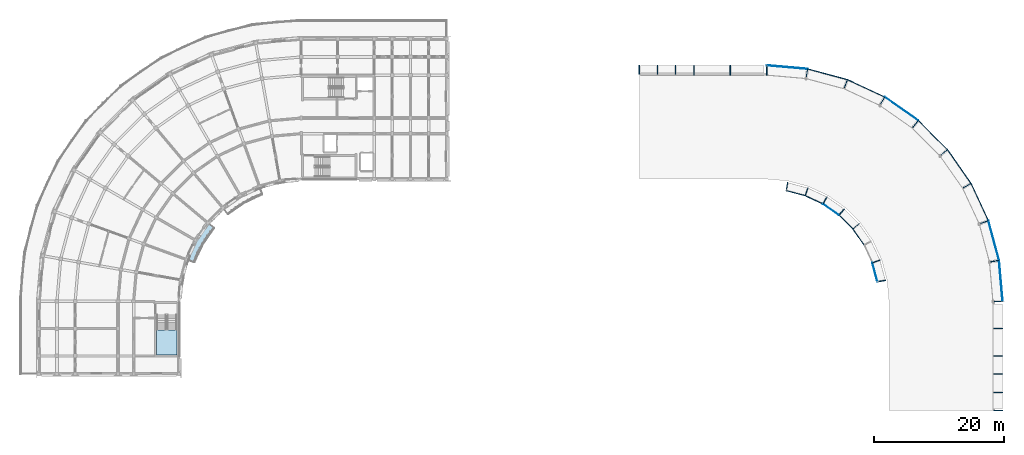
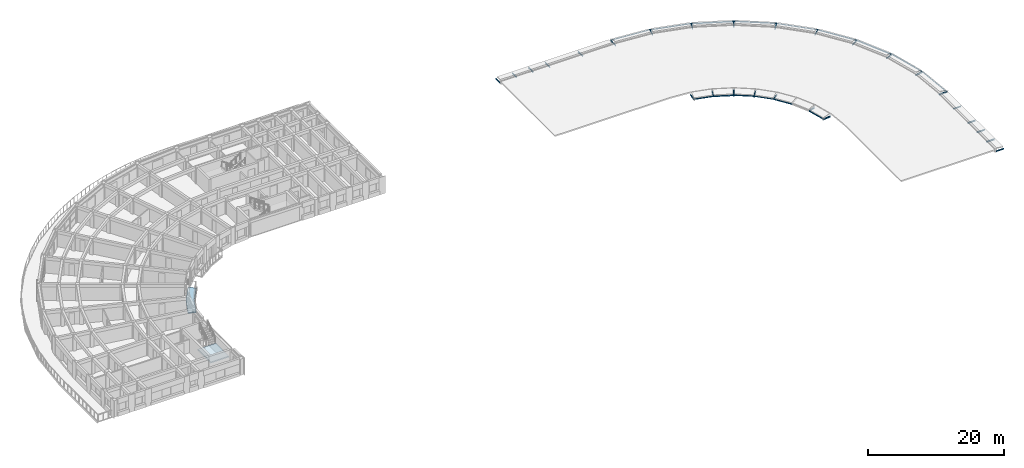
# One storey, part 5 of 23: 27 beams, 15 members, 2 slabs, 1 element without a shape of its own.
"""IFC4 building model written with IfcOpenShell, lengths in metres."""

from ifc_helpers import new_model, si_unit, direction, frame, origin, origin_2d, place, context, subcontext, project, spatial, polyline, hollow_rectangle, i_section, outline, extrude, material, layer, layer_set, material_profile, profile_set, type_object, element, aggregate, save


model = new_model("IFC4")

# Units and contexts
model_context = context("Model", 3, precision=1e-05, world=origin(), true_north=direction((0.0, 1.0)))
body_context = subcontext(model_context, "Body", "Model", "MODEL_VIEW")
ifc_project = project(units=[si_unit("LENGTHUNIT", "METRE"), si_unit("AREAUNIT", "SQUARE_METRE"), si_unit("VOLUMEUNIT", "CUBIC_METRE"), si_unit("PLANEANGLEUNIT", "RADIAN"), si_unit("MASSUNIT", "GRAM", prefix="KILO")], contexts=[model_context])

# Site, building, storey
site_placement = place(None, origin())
site = spatial("IfcSite", under=ifc_project, at=site_placement, CompositionType="ELEMENT")
building_placement = place(site_placement, origin())
building = spatial("IfcBuilding", under=site, at=building_placement, Name="Kiranvali Square Residences", CompositionType="ELEMENT")
storey_placement = place(building_placement, frame((0.0, 0.0, 43.35009765625)))
storey = spatial("IfcBuildingStorey", under=building, at=storey_placement, Name="L13", CompositionType="ELEMENT", Elevation=43.35009765625)

# Members
ifc_material_1 = material(Name="Structural steel E350", Category="steel")
ifc_material_profile_1 = material_profile(ifc_material_1, hollow_rectangle(XDim=0.06103515625, YDim=0.1220703125, WallThickness=0.00439453125, at=origin_2d()), Name="RHS 122x61x4.5")
ifc_profile_set_1 = profile_set([ifc_material_profile_1], Name="Structural steel E350")
member_type_1 = type_object("IfcMemberType", Name="MEM-RHS122", PredefinedType="PURLIN", material=ifc_profile_set_1)
member_1_placement = place(storey_placement, frame((137.949951171875, 119.23681640625, -0.301025390625), z_axis=(0.819153970275, -0.573573685748, 0.0), x_axis=(0.573573685748, 0.819153970275, 0.0)))
element("IfcMember", 1, at=member_1_placement, inside=storey, type_object=member_type_1, Name="Block B Ottoman eave fascia purlin 4", PredefinedType="PURLIN", context=body_context, shape_type="SweptSolid", body=[
    extrude(hollow_rectangle(XDim=0.06103515625, YDim=0.1220703125, WallThickness=0.00439453125, at=origin_2d()), origin(), (0.0, 0.0, 1.0), 6.32763671875),
])
member_2_placement = place(storey_placement, frame((128.449951171875, 102.7822265625, -0.301025390625), z_axis=(0.819140627792, -0.573592740453, 0.0), x_axis=(0.573592740453, 0.819140627792, 0.0)))
element("IfcMember", 2, at=member_2_placement, inside=storey, type_object=member_type_1, Name="Block B inner garden eave fascia purlin 4", PredefinedType="PURLIN", context=body_context, shape_type="SweptSolid", body=[
    extrude(hollow_rectangle(XDim=0.06103515625, YDim=0.1220703125, WallThickness=0.00439453125, at=origin_2d()), origin(), (0.0, 0.0, 1.0), 3.015625),
])
member_3_placement = place(storey_placement, frame((153.910888671875, 100.21533203125, -0.301025390625), z_axis=(0.25882480207, -0.965924283696, 0.0), x_axis=(0.965924283696, 0.25882480207, 0.0)))
element("IfcMember", 3, at=member_3_placement, inside=storey, type_object=member_type_1, Name="Block B Ottoman eave fascia purlin 8", PredefinedType="PURLIN", context=body_context, shape_type="SweptSolid", body=[
    extrude(hollow_rectangle(XDim=0.06103515625, YDim=0.1220703125, WallThickness=0.00439453125, at=origin_2d()), origin(), (0.0, 0.0, 1.0), 6.327392578125),
])
member_4_placement = place(storey_placement, frame((136.056640625, 93.717041015625, -0.301025390625), z_axis=(0.258866661045, -0.965913066378, 0.0), x_axis=(0.965913066378, 0.258866661045, 0.0)))
element("IfcMember", 4, at=member_4_placement, inside=storey, type_object=member_type_1, Name="Block B inner garden eave fascia purlin 8", PredefinedType="PURLIN", context=body_context, shape_type="SweptSolid", body=[
    extrude(hollow_rectangle(XDim=0.06103515625, YDim=0.1220703125, WallThickness=0.00439453125, at=origin_2d()), origin(), (0.0, 0.0, 1.0), 2.99072265625),
])
ifc_material_profile_2 = material_profile(ifc_material_1, hollow_rectangle(XDim=0.08203125, YDim=0.14501953125, WallThickness=0.00537109375, at=origin_2d()), Name="RHS 145x82x5.4")
ifc_profile_set_2 = profile_set([ifc_material_profile_2], Name="Structural steel E350")
member_type_2 = type_object("IfcMemberType", Name="MEM-RHS145", PredefinedType="PURLIN", material=ifc_profile_set_2)
member_5_placement = place(storey_placement, frame((119.824951171875, 124.097900390625, -0.3125), z_axis=(0.996194516337, -0.087157820187, 0.0), x_axis=(0.087157820187, 0.996194516337, 0.0)))
element("IfcMember", 5, at=member_5_placement, inside=storey, type_object=member_type_2, Name="Block B Ottoman eave fascia purlin 1", PredefinedType="PURLIN", context=body_context, shape_type="SweptSolid", body=[
    extrude(hollow_rectangle(XDim=0.08203125, YDim=0.14501953125, WallThickness=0.00537109375, at=origin_2d()), origin(), (0.0, 0.0, 1.0), 6.302490234375),
])
member_6_placement = place(storey_placement, frame((143.13330078125, 115.607421875, -0.3125), z_axis=(0.707106781187, -0.707106781187, 0.0), x_axis=(0.707106781187, 0.707106781187, 0.0)))
element("IfcMember", 6, at=member_6_placement, inside=storey, type_object=member_type_2, Name="Block B Ottoman eave fascia purlin 5", PredefinedType="PURLIN", context=body_context, shape_type="SweptSolid", body=[
    extrude(hollow_rectangle(XDim=0.08203125, YDim=0.14501953125, WallThickness=0.00537109375, at=origin_2d()), origin(), (0.0, 0.0, 1.0), 6.327392578125),
])
member_7_placement = place(storey_placement, frame((130.920166015625, 101.052490234375, -0.3125), z_axis=(0.707106781187, -0.707106781187, 0.0), x_axis=(0.707106781187, 0.707106781187, 0.0)))
element("IfcMember", 7, at=member_7_placement, inside=storey, type_object=member_type_2, Name="Block B inner garden eave fascia purlin 5", PredefinedType="PURLIN", context=body_context, shape_type="SweptSolid", body=[
    extrude(hollow_rectangle(XDim=0.08203125, YDim=0.14501953125, WallThickness=0.00537109375, at=origin_2d()), origin(), (0.0, 0.0, 1.0), 3.015625),
])
member_8_placement = place(storey_placement, frame((155.548583984375, 94.103515625, -0.3125), z_axis=(0.087157820187, -0.996194516337, 0.0), x_axis=(0.996194516337, 0.087157820187, 0.0)))
element("IfcMember", 8, at=member_8_placement, inside=storey, type_object=member_type_2, Name="Block B Ottoman eave fascia purlin 9", PredefinedType="PURLIN", context=body_context, shape_type="SweptSolid", body=[
    extrude(hollow_rectangle(XDim=0.08203125, YDim=0.14501953125, WallThickness=0.00537109375, at=origin_2d()), origin(), (0.0, 0.0, 1.0), 6.302490234375),
])
ifc_material_profile_3 = material_profile(ifc_material_1, hollow_rectangle(XDim=0.092041015625, YDim=0.172119140625, WallThickness=0.00537109375, at=origin_2d()), Name="RHS 172x92x5.4")
ifc_profile_set_3 = profile_set([ifc_material_profile_3], Name="Structural steel E350")
member_type_3 = type_object("IfcMemberType", Name="MEM-RHS172", PredefinedType="PURLIN", material=ifc_profile_set_3)
member_9_placement = place(storey_placement, frame((126.103515625, 123.548583984375, -0.326171875), z_axis=(0.965924283696, -0.25882480207, 0.0), x_axis=(0.25882480207, 0.965924283696, 0.0)))
element("IfcMember", 9, at=member_9_placement, inside=storey, type_object=member_type_3, Name="Block B Ottoman eave fascia purlin 2", PredefinedType="PURLIN", context=body_context, shape_type="SweptSolid", body=[
    extrude(hollow_rectangle(XDim=0.092041015625, YDim=0.172119140625, WallThickness=0.00537109375, at=origin_2d()), origin(), (0.0, 0.0, 1.0), 6.327392578125),
])
member_10_placement = place(storey_placement, frame((122.828369140625, 104.830810546875, -0.326171875), z_axis=(0.965913066378, -0.258866661045, 0.0), x_axis=(0.258866661045, 0.965913066378, 0.0)))
element("IfcMember", 10, at=member_10_placement, inside=storey, type_object=member_type_3, Name="Block B inner garden eave fascia purlin 2", PredefinedType="PURLIN", context=body_context, shape_type="SweptSolid", body=[
    extrude(hollow_rectangle(XDim=0.092041015625, YDim=0.172119140625, WallThickness=0.00537109375, at=origin_2d()), origin(), (0.0, 0.0, 1.0), 2.99072265625),
])
member_11_placement = place(storey_placement, frame((147.607421875, 111.13330078125, -0.326171875), z_axis=(0.573573685748, -0.819153970275, 0.0), x_axis=(0.819153970275, 0.573573685748, 0.0)))
element("IfcMember", 11, at=member_11_placement, inside=storey, type_object=member_type_3, Name="Block B Ottoman eave fascia purlin 6", PredefinedType="PURLIN", context=body_context, shape_type="SweptSolid", body=[
    extrude(hollow_rectangle(XDim=0.092041015625, YDim=0.172119140625, WallThickness=0.00537109375, at=origin_2d()), origin(), (0.0, 0.0, 1.0), 6.32763671875),
])
member_12_placement = place(storey_placement, frame((133.052490234375, 98.920166015625, -0.326171875), z_axis=(0.573592740453, -0.819140627792, 0.0), x_axis=(0.819140627792, 0.573592740453, 0.0)))
element("IfcMember", 12, at=member_12_placement, inside=storey, type_object=member_type_3, Name="Block B inner garden eave fascia purlin 6", PredefinedType="PURLIN", context=body_context, shape_type="SweptSolid", body=[
    extrude(hollow_rectangle(XDim=0.092041015625, YDim=0.172119140625, WallThickness=0.00537109375, at=origin_2d()), origin(), (0.0, 0.0, 1.0), 3.015625),
])
ifc_material_profile_4 = material_profile(ifc_material_1, hollow_rectangle(XDim=0.10009765625, YDim=0.199951171875, WallThickness=0.006103515625, at=origin_2d()), Name="RHS 200x100x6.0")
ifc_profile_set_4 = profile_set([ifc_material_profile_4], Name="Structural steel E350")
member_type_4 = type_object("IfcMemberType", Name="MEM-RHS200", PredefinedType="PURLIN", material=ifc_profile_set_4)
member_13_placement = place(storey_placement, frame((132.21533203125, 121.910888671875, -0.340087890625), z_axis=(0.906309273507, -0.42261507398, 0.0), x_axis=(0.42261507398, 0.906309273507, 0.0)))
element("IfcMember", 13, at=member_13_placement, inside=storey, type_object=member_type_4, Name="Block B Ottoman eave fascia purlin 3", PredefinedType="PURLIN", context=body_context, shape_type="SweptSolid", body=[
    extrude(hollow_rectangle(XDim=0.10009765625, YDim=0.199951171875, WallThickness=0.006103515625, at=origin_2d()), origin(), (0.0, 0.0, 1.0), 6.327392578125),
])
member_14_placement = place(storey_placement, frame((125.717041015625, 104.056640625, -0.340087890625), z_axis=(0.906303071034, -0.422628375094, 0.0), x_axis=(0.422628375094, 0.906303071034, 0.0)))
element("IfcMember", 14, at=member_14_placement, inside=storey, type_object=member_type_4, Name="Block B inner garden eave fascia purlin 3", PredefinedType="PURLIN", context=body_context, shape_type="SweptSolid", body=[
    extrude(hollow_rectangle(XDim=0.10009765625, YDim=0.199951171875, WallThickness=0.006103515625, at=origin_2d()), origin(), (0.0, 0.0, 1.0), 3.015380859375),
])
member_15_placement = place(storey_placement, frame((151.23681640625, 105.949951171875, -0.340087890625), z_axis=(0.42261507398, -0.906309273507, 0.0), x_axis=(0.906309273507, 0.42261507398, 0.0)))
element("IfcMember", 15, at=member_15_placement, inside=storey, type_object=member_type_4, Name="Block B Ottoman eave fascia purlin 7", PredefinedType="PURLIN", context=body_context, shape_type="SweptSolid", body=[
    extrude(hollow_rectangle(XDim=0.10009765625, YDim=0.199951171875, WallThickness=0.006103515625, at=origin_2d()), origin(), (0.0, 0.0, 1.0), 6.327392578125),
])

# Beams
ifc_material_profile_5 = material_profile(ifc_material_1, i_section(OverallWidth=0.0849609375, OverallDepth=0.175048828125, WebThickness=0.005859375, FlangeThickness=0.009033203125, at=origin_2d()), Name="ISMB 175")
ifc_profile_set_5 = profile_set([ifc_material_profile_5], Name="Structural steel E350")
beam_type_1 = type_object("IfcBeamType", Name="SBM-ISMB175", PredefinedType="JOIST", material=ifc_profile_set_5)
beam_1_placement = place(storey_placement, frame((125.870849609375, 122.228759765625, -0.32763671875), z_axis=(0.173608662227, 0.984814719833, 0.0), x_axis=(-0.984814719833, 0.173608662227, 0.0)))
element("IfcBeam", 16, at=beam_1_placement, inside=storey, type_object=beam_type_1, Name="Block B Classical Ottoman eave steel joist 2", PredefinedType="JOIST", context=body_context, shape_type="SweptSolid", body=[
    extrude(i_section(OverallWidth=0.0849609375, OverallDepth=0.175048828125, WebThickness=0.005859375, FlangeThickness=0.009033203125, at=origin_2d()), origin(), (0.0, 0.0, 1.0), 1.340087890625),
])
beam_2_placement = place(storey_placement, frame((123.0263671875, 106.09765625, -0.32763671875), z_axis=(-0.173578582229, -0.98482002203, 0.0), x_axis=(0.98482002203, -0.173578582229, 0.0)))
element("IfcBeam", 17, at=beam_2_placement, inside=storey, type_object=beam_type_1, Name="Block B inner garden eave steel joist 2", PredefinedType="JOIST", context=body_context, shape_type="SweptSolid", body=[
    extrude(i_section(OverallWidth=0.0849609375, OverallDepth=0.175048828125, WebThickness=0.005859375, FlangeThickness=0.009033203125, at=origin_2d()), origin(), (0.0, 0.0, 1.0), 1.280029296875),
])
beam_3_placement = place(storey_placement, frame((146.580810546875, 110.27197265625, -0.32763671875), z_axis=(0.766081576327, 0.642743353456, 0.0), x_axis=(-0.642743353456, 0.766081576327, 0.0)))
element("IfcBeam", 18, at=beam_3_placement, inside=storey, type_object=beam_type_1, Name="Block B Classical Ottoman eave steel joist 6", PredefinedType="JOIST", context=body_context, shape_type="SweptSolid", body=[
    extrude(i_section(OverallWidth=0.0849609375, OverallDepth=0.175048828125, WebThickness=0.005859375, FlangeThickness=0.009033203125, at=origin_2d()), origin(), (0.0, 0.0, 1.0), 1.340087890625),
])
beam_4_placement = place(storey_placement, frame((134.033203125, 99.742919921875, -0.32763671875), z_axis=(-0.766106721946, -0.642713381368, 0.0), x_axis=(0.642713381368, -0.766106721946, 0.0)))
element("IfcBeam", 19, at=beam_4_placement, inside=storey, type_object=beam_type_1, Name="Block B inner garden eave steel joist 6", PredefinedType="JOIST", context=body_context, shape_type="SweptSolid", body=[
    extrude(i_section(OverallWidth=0.0849609375, OverallDepth=0.175048828125, WebThickness=0.005859375, FlangeThickness=0.009033203125, at=origin_2d()), origin(), (0.0, 0.0, 1.0), 1.280029296875),
])
for number, where, z_axis, x_axis, name in (
    (20, (154.760009765625, 87.800048828125, -0.32763671875), (1.0, 0.0, 0.0), (0.0, 1.0, 0.0), "Block B Classical Ottoman eave steel joist 10"),
    (21, (105.800048828125, 122.760009765625, -0.32763671875), (0.0, 1.0, 0.0), (-1.0, 0.0, 0.0), "Block B Arm 1 Ottoman eave joist 3"),
    (22, (154.760009765625, 76.60009765625, -0.32763671875), (1.0, 0.0, 0.0), (0.0, 1.0, 0.0), "Block B Arm 2 Ottoman eave joist 3"),
):
    element("IfcBeam", number, at=place(storey_placement, frame(where, z_axis=z_axis, x_axis=x_axis)), inside=storey, type_object=beam_type_1, Name=name, PredefinedType="JOIST", context=body_context, shape_type="SweptSolid", body=[
        extrude(i_section(OverallWidth=0.0849609375, OverallDepth=0.175048828125, WebThickness=0.005859375, FlangeThickness=0.009033203125, at=origin_2d()), origin(), (0.0, 0.0, 1.0), 1.340087890625),
    ])
ifc_material_profile_6 = material_profile(ifc_material_1, i_section(OverallWidth=0.10009765625, OverallDepth=0.199951171875, WebThickness=0.005615234375, FlangeThickness=0.0107421875, at=origin_2d()), Name="ISMB 200")
ifc_profile_set_6 = profile_set([ifc_material_profile_6], Name="Structural steel E350")
beam_type_2 = type_object("IfcBeamType", Name="SBM-ISMB200", PredefinedType="JOIST", material=ifc_profile_set_6)
beam_5_placement = place(storey_placement, frame((131.757080078125, 120.651611328125, -0.340087890625), z_axis=(0.341962474452, 0.939713608536, 0.0), x_axis=(-0.939713608536, 0.341962474452, 0.0)))
element("IfcBeam", 23, at=beam_5_placement, inside=storey, type_object=beam_type_2, Name="Block B Classical Ottoman eave steel joist 3", PredefinedType="JOIST", context=body_context, shape_type="SweptSolid", body=[
    extrude(i_section(OverallWidth=0.10009765625, OverallDepth=0.199951171875, WebThickness=0.005615234375, FlangeThickness=0.0107421875, at=origin_2d()), origin(), (0.0, 0.0, 1.0), 1.340087890625),
])
beam_6_placement = place(storey_placement, frame((126.15478515625, 105.259521484375, -0.340087890625), z_axis=(-0.341972760075, -0.939709865526, 0.0), x_axis=(0.939709865526, -0.341972760075, 0.0)))
element("IfcBeam", 24, at=beam_6_placement, inside=storey, type_object=beam_type_2, Name="Block B inner garden eave steel joist 3", PredefinedType="JOIST", context=body_context, shape_type="SweptSolid", body=[
    extrude(i_section(OverallWidth=0.10009765625, OverallDepth=0.199951171875, WebThickness=0.005615234375, FlangeThickness=0.0107421875, at=origin_2d()), origin(), (0.0, 0.0, 1.0), 1.280029296875),
])
for number, where, z_axis, x_axis, name in (
    (25, (150.076171875, 105.280029296875, -0.340087890625), (0.866082447003, 0.499901185229, 0.0), (-0.499901185229, 0.866082447003, 0.0), "Block B Classical Ottoman eave steel joist 7"),
    (26, (103.0, 122.760009765625, -0.340087890625), (0.0, 1.0, 0.0), (-1.0, 0.0, 0.0), "Block B Arm 1 Ottoman eave joist 4"),
    (27, (154.760009765625, 73.800048828125, -0.340087890625), (1.0, 0.0, 0.0), (0.0, 1.0, 0.0), "Block B Arm 2 Ottoman eave joist 4"),
):
    element("IfcBeam", number, at=place(storey_placement, frame(where, z_axis=z_axis, x_axis=x_axis)), inside=storey, type_object=beam_type_2, Name=name, PredefinedType="JOIST", context=body_context, shape_type="SweptSolid", body=[
        extrude(i_section(OverallWidth=0.10009765625, OverallDepth=0.199951171875, WebThickness=0.005615234375, FlangeThickness=0.0107421875, at=origin_2d()), origin(), (0.0, 0.0, 1.0), 1.340087890625),
    ])
ifc_material_profile_7 = material_profile(ifc_material_1, i_section(OverallWidth=0.110107421875, OverallDepth=0.22509765625, WebThickness=0.006591796875, FlangeThickness=0.01171875, at=origin_2d()), Name="ISMB 225")
ifc_profile_set_7 = profile_set([ifc_material_profile_7], Name="Structural steel E350")
beam_type_3 = type_object("IfcBeamType", Name="SBM-ISMB225", PredefinedType="JOIST", material=ifc_profile_set_7)
beam_7_placement = place(storey_placement, frame((137.280029296875, 118.076171875, -0.3525390625), z_axis=(0.499901185229, 0.866082447003, 0.0), x_axis=(-0.866082447003, 0.499901185229, 0.0)))
element("IfcBeam", 28, at=beam_7_placement, inside=storey, type_object=beam_type_3, Name="Block B Classical Ottoman eave steel joist 4", PredefinedType="JOIST", context=body_context, shape_type="SweptSolid", body=[
    extrude(i_section(OverallWidth=0.110107421875, OverallDepth=0.22509765625, WebThickness=0.006591796875, FlangeThickness=0.01171875, at=origin_2d()), origin(), (0.0, 0.0, 1.0), 1.340087890625),
])
beam_8_placement = place(storey_placement, frame((129.090087890625, 103.890869140625, -0.3525390625), z_axis=(-0.500036104519, -0.866004557827, 0.0), x_axis=(0.866004557827, -0.500036104519, 0.0)))
element("IfcBeam", 29, at=beam_8_placement, inside=storey, type_object=beam_type_3, Name="Block B inner garden eave steel joist 4", PredefinedType="JOIST", context=body_context, shape_type="SweptSolid", body=[
    extrude(i_section(OverallWidth=0.110107421875, OverallDepth=0.22509765625, WebThickness=0.006591796875, FlangeThickness=0.01171875, at=origin_2d()), origin(), (0.0, 0.0, 1.0), 1.2802734375),
])
beam_9_placement = place(storey_placement, frame((152.651611328125, 99.757080078125, -0.3525390625), z_axis=(0.939713608536, 0.341962474452, 0.0), x_axis=(-0.341962474452, 0.939713608536, 0.0)))
element("IfcBeam", 30, at=beam_9_placement, inside=storey, type_object=beam_type_3, Name="Block B Classical Ottoman eave steel joist 8", PredefinedType="JOIST", context=body_context, shape_type="SweptSolid", body=[
    extrude(i_section(OverallWidth=0.110107421875, OverallDepth=0.22509765625, WebThickness=0.006591796875, FlangeThickness=0.01171875, at=origin_2d()), origin(), (0.0, 0.0, 1.0), 1.340087890625),
])
beam_10_placement = place(storey_placement, frame((137.259521484375, 94.15478515625, -0.3525390625), z_axis=(-0.939709865526, -0.341972760075, 0.0), x_axis=(0.341972760075, -0.939709865526, 0.0)))
element("IfcBeam", 31, at=beam_10_placement, inside=storey, type_object=beam_type_3, Name="Block B inner garden eave steel joist 8", PredefinedType="JOIST", context=body_context, shape_type="SweptSolid", body=[
    extrude(i_section(OverallWidth=0.110107421875, OverallDepth=0.22509765625, WebThickness=0.006591796875, FlangeThickness=0.01171875, at=origin_2d()), origin(), (0.0, 0.0, 1.0), 1.280029296875),
])
beam_11_placement = place(storey_placement, frame((114.199951171875, 122.580078125, -0.3525390625), z_axis=(0.0, 1.0, 0.0), x_axis=(-1.0, 0.0, 0.0)))
element("IfcBeam", 32, at=beam_11_placement, inside=storey, type_object=beam_type_3, Name="Block B Arm 1 Ottoman eave joist 1", PredefinedType="JOIST", context=body_context, shape_type="SweptSolid", body=[
    extrude(i_section(OverallWidth=0.110107421875, OverallDepth=0.22509765625, WebThickness=0.006591796875, FlangeThickness=0.01171875, at=origin_2d()), origin(), (0.0, 0.0, 1.0), 1.52001953125),
])
for number, where, z_axis, x_axis, name in (
    (33, (100.199951171875, 122.760009765625, -0.3525390625), (0.0, 1.0, 0.0), (-1.0, 0.0, 0.0), "Block B Arm 1 Ottoman eave joist 5"),
    (34, (154.760009765625, 83.60009765625, -0.3525390625), (1.0, 0.0, 0.0), (0.0, 1.0, 0.0), "Block B Arm 2 Ottoman eave joist 1"),
    (35, (154.760009765625, 71.0, -0.3525390625), (1.0, 0.0, 0.0), (0.0, 1.0, 0.0), "Block B Arm 2 Ottoman eave joist 5"),
):
    element("IfcBeam", number, at=place(storey_placement, frame(where, z_axis=z_axis, x_axis=x_axis)), inside=storey, type_object=beam_type_3, Name=name, PredefinedType="JOIST", context=body_context, shape_type="SweptSolid", body=[
        extrude(i_section(OverallWidth=0.110107421875, OverallDepth=0.22509765625, WebThickness=0.006591796875, FlangeThickness=0.01171875, at=origin_2d()), origin(), (0.0, 0.0, 1.0), 1.340087890625),
    ])
ifc_material_profile_8 = material_profile(ifc_material_1, i_section(OverallWidth=0.125, OverallDepth=0.25, WebThickness=0.0068359375, FlangeThickness=0.012451171875, at=origin_2d()), Name="ISMB 250")
ifc_profile_set_8 = profile_set([ifc_material_profile_8], Name="Structural steel E350")
beam_type_4 = type_object("IfcBeamType", Name="SBM-ISMB250", PredefinedType="JOIST", material=ifc_profile_set_8)
beam_12_placement = place(storey_placement, frame((119.800048828125, 122.580078125, -0.364990234375), z_axis=(0.0, 1.0, 0.0), x_axis=(-1.0, 0.0, 0.0)))
element("IfcBeam", 36, at=beam_12_placement, inside=storey, type_object=beam_type_4, Name="Block B Classical Ottoman eave steel joist 1", PredefinedType="JOIST", context=body_context, shape_type="SweptSolid", body=[
    extrude(i_section(OverallWidth=0.125, OverallDepth=0.25, WebThickness=0.0068359375, FlangeThickness=0.012451171875, at=origin_2d()), origin(), (0.0, 0.0, 1.0), 1.52001953125),
])
beam_13_placement = place(storey_placement, frame((142.27197265625, 114.580810546875, -0.364990234375), z_axis=(0.642743353456, 0.766081576327, 0.0), x_axis=(-0.766081576327, 0.642743353456, 0.0)))
element("IfcBeam", 37, at=beam_13_placement, inside=storey, type_object=beam_type_4, Name="Block B Classical Ottoman eave steel joist 5", PredefinedType="JOIST", context=body_context, shape_type="SweptSolid", body=[
    extrude(i_section(OverallWidth=0.125, OverallDepth=0.25, WebThickness=0.0068359375, FlangeThickness=0.012451171875, at=origin_2d()), origin(), (0.0, 0.0, 1.0), 1.340087890625),
])
beam_14_placement = place(storey_placement, frame((131.742919921875, 102.033203125, -0.364990234375), z_axis=(-0.642713381368, -0.766106721946, 0.0), x_axis=(0.766106721946, -0.642713381368, 0.0)))
element("IfcBeam", 38, at=beam_14_placement, inside=storey, type_object=beam_type_4, Name="Block B inner garden eave steel joist 5", PredefinedType="JOIST", context=body_context, shape_type="SweptSolid", body=[
    extrude(i_section(OverallWidth=0.125, OverallDepth=0.25, WebThickness=0.0068359375, FlangeThickness=0.012451171875, at=origin_2d()), origin(), (0.0, 0.0, 1.0), 1.280029296875),
])
beam_15_placement = place(storey_placement, frame((154.228759765625, 93.870849609375, -0.364990234375), z_axis=(0.984814719833, 0.173608662227, 0.0), x_axis=(-0.173608662227, 0.984814719833, 0.0)))
element("IfcBeam", 39, at=beam_15_placement, inside=storey, type_object=beam_type_4, Name="Block B Classical Ottoman eave steel joist 9", PredefinedType="JOIST", context=body_context, shape_type="SweptSolid", body=[
    extrude(i_section(OverallWidth=0.125, OverallDepth=0.25, WebThickness=0.0068359375, FlangeThickness=0.012451171875, at=origin_2d()), origin(), (0.0, 0.0, 1.0), 1.340087890625),
])
beam_16_placement = place(storey_placement, frame((138.09765625, 91.0263671875, -0.364990234375), z_axis=(-0.98482002203, -0.173578582229, 0.0), x_axis=(0.173578582229, -0.98482002203, 0.0)))
element("IfcBeam", 40, at=beam_16_placement, inside=storey, type_object=beam_type_4, Name="Block B inner garden eave steel joist 9", PredefinedType="JOIST", context=body_context, shape_type="SweptSolid", body=[
    extrude(i_section(OverallWidth=0.125, OverallDepth=0.25, WebThickness=0.0068359375, FlangeThickness=0.012451171875, at=origin_2d()), origin(), (0.0, 0.0, 1.0), 1.280029296875),
])
beam_17_placement = place(storey_placement, frame((108.60009765625, 122.580078125, -0.364990234375), z_axis=(0.0, 1.0, 0.0), x_axis=(-1.0, 0.0, 0.0)))
element("IfcBeam", 41, at=beam_17_placement, inside=storey, type_object=beam_type_4, Name="Block B Arm 1 Ottoman eave joist 2", PredefinedType="JOIST", context=body_context, shape_type="SweptSolid", body=[
    extrude(i_section(OverallWidth=0.125, OverallDepth=0.25, WebThickness=0.0068359375, FlangeThickness=0.012451171875, at=origin_2d()), origin(), (0.0, 0.0, 1.0), 1.52001953125),
])
beam_18_placement = place(storey_placement, frame((154.760009765625, 79.39990234375, -0.364990234375), z_axis=(1.0, 0.0, 0.0), x_axis=(0.0, 1.0, 0.0)))
element("IfcBeam", 42, at=beam_18_placement, inside=storey, type_object=beam_type_4, Name="Block B Arm 2 Ottoman eave joist 2", PredefinedType="JOIST", context=body_context, shape_type="SweptSolid", body=[
    extrude(i_section(OverallWidth=0.125, OverallDepth=0.25, WebThickness=0.0068359375, FlangeThickness=0.012451171875, at=origin_2d()), origin(), (0.0, 0.0, 1.0), 1.340087890625),
])

# Slab
ifc_material_2 = material(Name="Concrete M35 (35 MPa)", Category="concrete")
ifc_layer_1 = layer(ifc_material_2, 0.169921875)
ifc_layer_set_1 = layer_set([ifc_layer_1], Name="Concrete M35 (35 MPa)")
slab_type_1 = type_object("IfcSlabType", Name="SLB-GBAL-170", PredefinedType="FLOOR", material=ifc_layer_set_1)
slab_1_placement = place(storey_placement, frame((0.0, 0.0, -0.18017578125)))
element("IfcSlab", 43, at=slab_1_placement, inside=storey, type_object=slab_type_1, Name="Block A L13 garden balcony slab 2", PredefinedType="FLOOR", context=body_context, shape_type="SweptSolid", body=[
    extrude(outline(polyline([(33.79833984375, 99.884521484375), (31.918701171875, 97.199951171875), (30.53369140625, 94.22998046875), (31.70849609375, 93.802490234375), (33.001220703125, 96.574951171875), (34.755859375, 99.080810546875), (33.79833984375, 99.884521484375)])), origin(), (0.0, 0.0, 1.0), 0.18017578125),
])

# Stair, slab
stair_type = type_object("IfcStairType", Name="ST-CORE-1700", PredefinedType="HALF_TURN_STAIR", material=ifc_material_2)
stair_placement = place(storey_placement, origin())
stair = element("IfcStair", 44, at=stair_placement, inside=storey, type_object=stair_type, Name="L13 Block A Wing Protected Exit Stair 3", PredefinedType="HALF_TURN_STAIR")
ifc_layer_2 = layer(ifc_material_2, 0.199951171875)
ifc_layer_set_2 = layer_set([ifc_layer_2], Name="Concrete M35 (35 MPa)")
slab_type_2 = type_object("IfcSlabType", Name="SLB-LND-200", PredefinedType="LANDING", material=ifc_layer_set_2)
slab_2_placement = place(storey_placement, frame((0.0, 0.0, 1.375)))
slab_2 = element("IfcSlab", 45, at=slab_2_placement, type_object=slab_type_2, Name="ST-A3 landing 1", PredefinedType="LANDING", context=body_context, shape_type="SweptSolid", body=[
    extrude(outline(polyline([(25.949951171875, 83.419921875), (25.949951171875, 79.550048828125), (29.050048828125, 79.550048828125), (29.050048828125, 83.419921875), (25.949951171875, 83.419921875)])), origin(), (0.0, 0.0, 1.0), 0.199951171875),
])
aggregate(stair, [slab_2])

save(model, "model.ifc")
